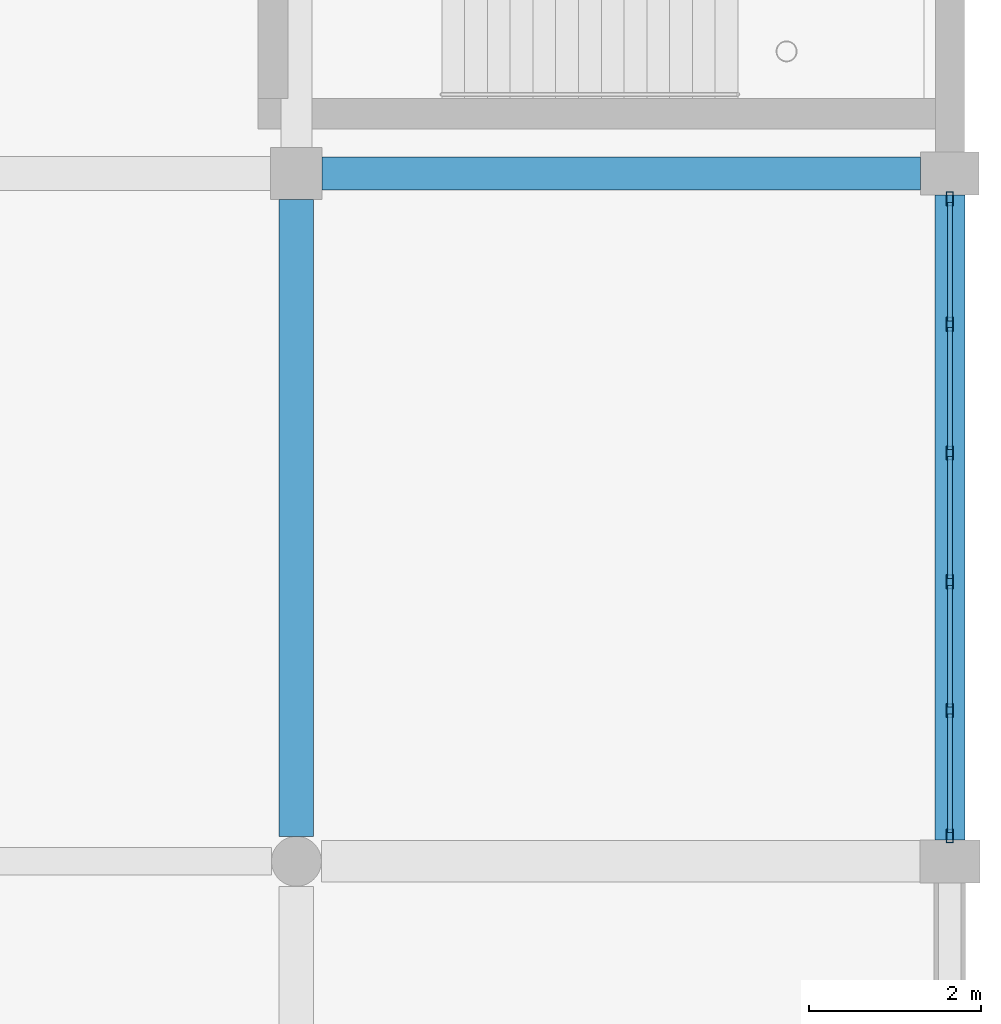
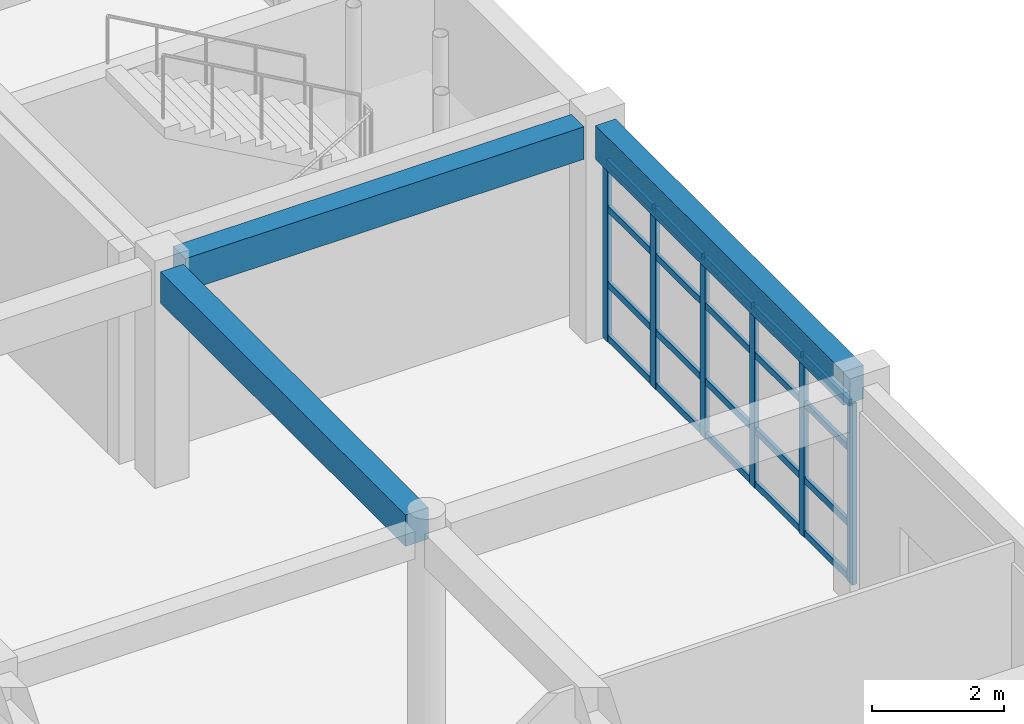
# One storey, part 23 of 53: 26 members, 3 beams, 1 element without a shape of its own.
"""IFC4 building model written with IfcOpenShell, lengths in metres."""

from ifc_helpers import new_model, si_unit, direction, frame, origin, origin_2d, place, context, subcontext, project, spatial, rectangle, hollow_rectangle, extrude, material, material_profile, profile_set, type_object, element, aggregate, save


model = new_model("IFC4")

# Units and contexts
model_context = context("Model", 3, precision=1e-05, world=origin(), true_north=direction((0.0, 1.0)))
body_context = subcontext(model_context, "Body", "Model", "MODEL_VIEW")
ifc_project = project(units=[si_unit("LENGTHUNIT", "METRE"), si_unit("AREAUNIT", "SQUARE_METRE"), si_unit("VOLUMEUNIT", "CUBIC_METRE"), si_unit("PLANEANGLEUNIT", "RADIAN"), si_unit("MASSUNIT", "GRAM", prefix="KILO")], contexts=[model_context])

# Site, building, storey
site_placement = place(None, origin())
site = spatial("IfcSite", under=ifc_project, at=site_placement, CompositionType="ELEMENT")
building_placement = place(site_placement, origin())
building = spatial("IfcBuilding", under=site, at=building_placement, Name="Kharva Crest Polytechnic", CompositionType="ELEMENT")
storey_placement = place(building_placement, frame((0.0, 0.0, 17.39990234375)))
storey = spatial("IfcBuildingStorey", under=building, at=storey_placement, Name="L04", CompositionType="ELEMENT", Elevation=17.39990234375)

# Beams
ifc_material_1 = material(Name="Concrete C35/45", Category="concrete")
ifc_material_profile_1 = material_profile(ifc_material_1, rectangle(XDim=0.3798828125, YDim=0.60009765625, at=origin_2d()), Name="RECT 380 X 600")
ifc_profile_set_1 = profile_set([ifc_material_profile_1], Name="Concrete C35/45")
beam_type_1 = type_object("IfcBeamType", Name="BM-RC-380X600", PredefinedType="BEAM", material=ifc_profile_set_1)
beam_1_placement = place(storey_placement, frame((176.699951171875, 70.800048828125, 3.670166015625), z_axis=(1.0, 0.0, 0.0), x_axis=(0.0, 1.0, 0.0)))
element("IfcBeam", 1, at=beam_1_placement, inside=storey, type_object=beam_type_1, Name="L04 Beam K/23-24", PredefinedType="BEAM", context=body_context, shape_type="SweptSolid", body=[
    extrude(rectangle(XDim=0.3798828125, YDim=0.60009765625, at=origin_2d()), origin(), (0.0, 0.0, 1.0), 6.9599609375),
])
ifc_material_profile_2 = material_profile(ifc_material_1, rectangle(XDim=0.39990234375, YDim=0.580078125, at=origin_2d()), Name="RECT 400 X 580")
ifc_profile_set_2 = profile_set([ifc_material_profile_2], Name="Concrete C35/45")
beam_type_2 = type_object("IfcBeamType", Name="BM-RC-400X580", PredefinedType="BEAM", material=ifc_profile_set_2)
beam_2_placement = place(storey_placement, frame((176.39990234375, 63.090087890625, 3.68017578125), z_axis=(0.0, 1.0, 0.0), x_axis=(-1.0, 0.0, 0.0)))
element("IfcBeam", 2, at=beam_2_placement, inside=storey, type_object=beam_type_2, Name="L04 Girder 23/J-K", PredefinedType="BEAM", context=body_context, shape_type="SweptSolid", body=[
    extrude(rectangle(XDim=0.39990234375, YDim=0.580078125, at=origin_2d()), origin(), (0.0, 0.0, 1.0), 7.409912109375),
])

# Curtain wall, members
ifc_material_2 = material(Name="Tempered insulated glass", Category="glass")
curtain_wall_type = type_object("IfcCurtainWallType", Name="CW-SYS-STUDIO", PredefinedType="USERDEFINED", material=ifc_material_2)
curtain_wall_placement = place(storey_placement, origin())
curtain_wall = element("IfcCurtainWall", 3, at=curtain_wall_placement, inside=storey, type_object=curtain_wall_type, Name="L04 Glazed Curtain Wall CW-187", ObjectType="CURTAIN WALL", PredefinedType="USERDEFINED")
ifc_material_3 = material(Name="Steel S355", Category="steel")
ifc_material_profile_3 = material_profile(ifc_material_3, hollow_rectangle(XDim=0.080078125, YDim=0.159912109375, WallThickness=0.0048828125, at=origin_2d()), Name="RHS 160X80X5.0")
ifc_profile_set_3 = profile_set([ifc_material_profile_3], Name="Steel S355")
member_type_1 = type_object("IfcMemberType", Name="CWM-RHS160X80", PredefinedType="MULLION", material=ifc_profile_set_3)
member_1_placement = place(storey_placement, frame((184.0, 63.094970703125, 0.0), z_axis=(0.0, 0.0, 1.0), x_axis=(-1.0, 0.0, 0.0)))
member_1 = element("IfcMember", 4, at=member_1_placement, type_object=member_type_1, Name="CW-187 mullion 1", PredefinedType="MULLION", context=body_context, shape_type="SweptSolid", body=[
    extrude(hollow_rectangle(XDim=0.080078125, YDim=0.159912109375, WallThickness=0.0048828125, at=origin_2d()), origin(), (0.0, 0.0, 1.0), 3.35009765625),
])
member_2_placement = place(storey_placement, frame((184.0, 64.552978515625, 0.0), z_axis=(0.0, 0.0, 1.0), x_axis=(-1.0, 0.0, 0.0)))
member_2 = element("IfcMember", 5, at=member_2_placement, type_object=member_type_1, Name="CW-187 mullion 2", PredefinedType="MULLION", context=body_context, shape_type="SweptSolid", body=[
    extrude(hollow_rectangle(XDim=0.080078125, YDim=0.159912109375, WallThickness=0.0048828125, at=origin_2d()), origin(), (0.0, 0.0, 1.0), 3.35009765625),
])
member_3_placement = place(storey_placement, frame((184.0, 66.051025390625, 0.0), z_axis=(0.0, 0.0, 1.0), x_axis=(-1.0, 0.0, 0.0)))
member_3 = element("IfcMember", 6, at=member_3_placement, type_object=member_type_1, Name="CW-187 mullion 3", PredefinedType="MULLION", context=body_context, shape_type="SweptSolid", body=[
    extrude(hollow_rectangle(XDim=0.080078125, YDim=0.159912109375, WallThickness=0.0048828125, at=origin_2d()), origin(), (0.0, 0.0, 1.0), 3.35009765625),
])
member_4_placement = place(storey_placement, frame((184.0, 67.549072265625, 0.0), z_axis=(0.0, 0.0, 1.0), x_axis=(-1.0, 0.0, 0.0)))
member_4 = element("IfcMember", 7, at=member_4_placement, type_object=member_type_1, Name="CW-187 mullion 4", PredefinedType="MULLION", context=body_context, shape_type="SweptSolid", body=[
    extrude(hollow_rectangle(XDim=0.080078125, YDim=0.159912109375, WallThickness=0.0048828125, at=origin_2d()), origin(), (0.0, 0.0, 1.0), 3.35009765625),
])
member_5_placement = place(storey_placement, frame((184.0, 69.047119140625, 0.0), z_axis=(0.0, 0.0, 1.0), x_axis=(-1.0, 0.0, 0.0)))
member_5 = element("IfcMember", 8, at=member_5_placement, type_object=member_type_1, Name="CW-187 mullion 5", PredefinedType="MULLION", context=body_context, shape_type="SweptSolid", body=[
    extrude(hollow_rectangle(XDim=0.080078125, YDim=0.159912109375, WallThickness=0.0048828125, at=origin_2d()), origin(), (0.0, 0.0, 1.0), 3.35009765625),
])
member_6_placement = place(storey_placement, frame((184.0, 70.5048828125, 0.0), z_axis=(0.0, 0.0, 1.0), x_axis=(-1.0, 0.0, 0.0)))
member_6 = element("IfcMember", 9, at=member_6_placement, type_object=member_type_1, Name="CW-187 mullion 6", PredefinedType="MULLION", context=body_context, shape_type="SweptSolid", body=[
    extrude(hollow_rectangle(XDim=0.080078125, YDim=0.159912109375, WallThickness=0.0048828125, at=origin_2d()), origin(), (0.0, 0.0, 1.0), 3.35009765625),
])
ifc_material_profile_4 = material_profile(ifc_material_3, hollow_rectangle(XDim=0.06005859375, YDim=0.1201171875, WallThickness=0.00390625, at=origin_2d()), Name="RHS 120X60X4.0")
ifc_profile_set_4 = profile_set([ifc_material_profile_4], Name="Steel S355")
member_type_2 = type_object("IfcMemberType", Name="CWT-RHS120X60", PredefinedType="USERDEFINED", material=ifc_profile_set_4)
member_7_placement = place(storey_placement, frame((184.0, 63.135009765625, 0.06005859375), z_axis=(0.0, 1.0, 0.0), x_axis=(-1.0, 0.0, 0.0)))
member_7 = element("IfcMember", 10, at=member_7_placement, type_object=member_type_2, Name="CW-187 transom 1.1", ObjectType="TRANSOM", PredefinedType="USERDEFINED", context=body_context, shape_type="SweptSolid", body=[
    extrude(hollow_rectangle(XDim=0.06005859375, YDim=0.1201171875, WallThickness=0.00390625, at=origin_2d()), origin(), (0.0, 0.0, 1.0), 1.3779296875),
])
member_8_placement = place(storey_placement, frame((184.0, 63.135009765625, 1.050048828125), z_axis=(0.0, 1.0, 0.0), x_axis=(-1.0, 0.0, 0.0)))
member_8 = element("IfcMember", 11, at=member_8_placement, type_object=member_type_2, Name="CW-187 transom 1.2", ObjectType="TRANSOM", PredefinedType="USERDEFINED", context=body_context, shape_type="SweptSolid", body=[
    extrude(hollow_rectangle(XDim=0.06005859375, YDim=0.1201171875, WallThickness=0.00390625, at=origin_2d()), origin(), (0.0, 0.0, 1.0), 1.3779296875),
])
member_9_placement = place(storey_placement, frame((184.0, 63.135009765625, 2.4501953125), z_axis=(0.0, 1.0, 0.0), x_axis=(-1.0, 0.0, 0.0)))
member_9 = element("IfcMember", 12, at=member_9_placement, type_object=member_type_2, Name="CW-187 transom 1.3", ObjectType="TRANSOM", PredefinedType="USERDEFINED", context=body_context, shape_type="SweptSolid", body=[
    extrude(hollow_rectangle(XDim=0.06005859375, YDim=0.1201171875, WallThickness=0.00390625, at=origin_2d()), origin(), (0.0, 0.0, 1.0), 1.3779296875),
])
member_10_placement = place(storey_placement, frame((184.0, 63.135009765625, 3.2900390625), z_axis=(0.0, 1.0, 0.0), x_axis=(-1.0, 0.0, 0.0)))
member_10 = element("IfcMember", 13, at=member_10_placement, type_object=member_type_2, Name="CW-187 transom 1.4", ObjectType="TRANSOM", PredefinedType="USERDEFINED", context=body_context, shape_type="SweptSolid", body=[
    extrude(hollow_rectangle(XDim=0.06005859375, YDim=0.1201171875, WallThickness=0.00390625, at=origin_2d()), origin(), (0.0, 0.0, 1.0), 1.3779296875),
])
member_11_placement = place(storey_placement, frame((184.0, 64.593017578125, 0.06005859375), z_axis=(0.0, 1.0, 0.0), x_axis=(-1.0, 0.0, 0.0)))
member_11 = element("IfcMember", 14, at=member_11_placement, type_object=member_type_2, Name="CW-187 transom 2.1", ObjectType="TRANSOM", PredefinedType="USERDEFINED", context=body_context, shape_type="SweptSolid", body=[
    extrude(hollow_rectangle(XDim=0.06005859375, YDim=0.1201171875, WallThickness=0.00390625, at=origin_2d()), origin(), (0.0, 0.0, 1.0), 1.41796875),
])
member_12_placement = place(storey_placement, frame((184.0, 64.593017578125, 1.050048828125), z_axis=(0.0, 1.0, 0.0), x_axis=(-1.0, 0.0, 0.0)))
member_12 = element("IfcMember", 15, at=member_12_placement, type_object=member_type_2, Name="CW-187 transom 2.2", ObjectType="TRANSOM", PredefinedType="USERDEFINED", context=body_context, shape_type="SweptSolid", body=[
    extrude(hollow_rectangle(XDim=0.06005859375, YDim=0.1201171875, WallThickness=0.00390625, at=origin_2d()), origin(), (0.0, 0.0, 1.0), 1.41796875),
])
member_13_placement = place(storey_placement, frame((184.0, 64.593017578125, 2.4501953125), z_axis=(0.0, 1.0, 0.0), x_axis=(-1.0, 0.0, 0.0)))
member_13 = element("IfcMember", 16, at=member_13_placement, type_object=member_type_2, Name="CW-187 transom 2.3", ObjectType="TRANSOM", PredefinedType="USERDEFINED", context=body_context, shape_type="SweptSolid", body=[
    extrude(hollow_rectangle(XDim=0.06005859375, YDim=0.1201171875, WallThickness=0.00390625, at=origin_2d()), origin(), (0.0, 0.0, 1.0), 1.41796875),
])
member_14_placement = place(storey_placement, frame((184.0, 64.593017578125, 3.2900390625), z_axis=(0.0, 1.0, 0.0), x_axis=(-1.0, 0.0, 0.0)))
member_14 = element("IfcMember", 17, at=member_14_placement, type_object=member_type_2, Name="CW-187 transom 2.4", ObjectType="TRANSOM", PredefinedType="USERDEFINED", context=body_context, shape_type="SweptSolid", body=[
    extrude(hollow_rectangle(XDim=0.06005859375, YDim=0.1201171875, WallThickness=0.00390625, at=origin_2d()), origin(), (0.0, 0.0, 1.0), 1.41796875),
])
member_15_placement = place(storey_placement, frame((184.0, 66.091064453125, 0.06005859375), z_axis=(0.0, 1.0, 0.0), x_axis=(-1.0, 0.0, 0.0)))
member_15 = element("IfcMember", 18, at=member_15_placement, type_object=member_type_2, Name="CW-187 transom 3.1", ObjectType="TRANSOM", PredefinedType="USERDEFINED", context=body_context, shape_type="SweptSolid", body=[
    extrude(hollow_rectangle(XDim=0.06005859375, YDim=0.1201171875, WallThickness=0.00390625, at=origin_2d()), origin(), (0.0, 0.0, 1.0), 1.41796875),
])
member_16_placement = place(storey_placement, frame((184.0, 66.091064453125, 1.050048828125), z_axis=(0.0, 1.0, 0.0), x_axis=(-1.0, 0.0, 0.0)))
member_16 = element("IfcMember", 19, at=member_16_placement, type_object=member_type_2, Name="CW-187 transom 3.2", ObjectType="TRANSOM", PredefinedType="USERDEFINED", context=body_context, shape_type="SweptSolid", body=[
    extrude(hollow_rectangle(XDim=0.06005859375, YDim=0.1201171875, WallThickness=0.00390625, at=origin_2d()), origin(), (0.0, 0.0, 1.0), 1.41796875),
])
member_17_placement = place(storey_placement, frame((184.0, 66.091064453125, 2.4501953125), z_axis=(0.0, 1.0, 0.0), x_axis=(-1.0, 0.0, 0.0)))
member_17 = element("IfcMember", 20, at=member_17_placement, type_object=member_type_2, Name="CW-187 transom 3.3", ObjectType="TRANSOM", PredefinedType="USERDEFINED", context=body_context, shape_type="SweptSolid", body=[
    extrude(hollow_rectangle(XDim=0.06005859375, YDim=0.1201171875, WallThickness=0.00390625, at=origin_2d()), origin(), (0.0, 0.0, 1.0), 1.41796875),
])
member_18_placement = place(storey_placement, frame((184.0, 66.091064453125, 3.2900390625), z_axis=(0.0, 1.0, 0.0), x_axis=(-1.0, 0.0, 0.0)))
member_18 = element("IfcMember", 21, at=member_18_placement, type_object=member_type_2, Name="CW-187 transom 3.4", ObjectType="TRANSOM", PredefinedType="USERDEFINED", context=body_context, shape_type="SweptSolid", body=[
    extrude(hollow_rectangle(XDim=0.06005859375, YDim=0.1201171875, WallThickness=0.00390625, at=origin_2d()), origin(), (0.0, 0.0, 1.0), 1.41796875),
])
member_19_placement = place(storey_placement, frame((184.0, 67.589111328125, 0.06005859375), z_axis=(0.0, 1.0, 0.0), x_axis=(-1.0, 0.0, 0.0)))
member_19 = element("IfcMember", 22, at=member_19_placement, type_object=member_type_2, Name="CW-187 transom 4.1", ObjectType="TRANSOM", PredefinedType="USERDEFINED", context=body_context, shape_type="SweptSolid", body=[
    extrude(hollow_rectangle(XDim=0.06005859375, YDim=0.1201171875, WallThickness=0.00390625, at=origin_2d()), origin(), (0.0, 0.0, 1.0), 1.41796875),
])
member_20_placement = place(storey_placement, frame((184.0, 67.589111328125, 1.050048828125), z_axis=(0.0, 1.0, 0.0), x_axis=(-1.0, 0.0, 0.0)))
member_20 = element("IfcMember", 23, at=member_20_placement, type_object=member_type_2, Name="CW-187 transom 4.2", ObjectType="TRANSOM", PredefinedType="USERDEFINED", context=body_context, shape_type="SweptSolid", body=[
    extrude(hollow_rectangle(XDim=0.06005859375, YDim=0.1201171875, WallThickness=0.00390625, at=origin_2d()), origin(), (0.0, 0.0, 1.0), 1.41796875),
])
member_21_placement = place(storey_placement, frame((184.0, 67.589111328125, 2.4501953125), z_axis=(0.0, 1.0, 0.0), x_axis=(-1.0, 0.0, 0.0)))
member_21 = element("IfcMember", 24, at=member_21_placement, type_object=member_type_2, Name="CW-187 transom 4.3", ObjectType="TRANSOM", PredefinedType="USERDEFINED", context=body_context, shape_type="SweptSolid", body=[
    extrude(hollow_rectangle(XDim=0.06005859375, YDim=0.1201171875, WallThickness=0.00390625, at=origin_2d()), origin(), (0.0, 0.0, 1.0), 1.41796875),
])
member_22_placement = place(storey_placement, frame((184.0, 67.589111328125, 3.2900390625), z_axis=(0.0, 1.0, 0.0), x_axis=(-1.0, 0.0, 0.0)))
member_22 = element("IfcMember", 25, at=member_22_placement, type_object=member_type_2, Name="CW-187 transom 4.4", ObjectType="TRANSOM", PredefinedType="USERDEFINED", context=body_context, shape_type="SweptSolid", body=[
    extrude(hollow_rectangle(XDim=0.06005859375, YDim=0.1201171875, WallThickness=0.00390625, at=origin_2d()), origin(), (0.0, 0.0, 1.0), 1.41796875),
])
member_23_placement = place(storey_placement, frame((184.0, 69.0869140625, 0.06005859375), z_axis=(0.0, 1.0, 0.0), x_axis=(-1.0, 0.0, 0.0)))
member_23 = element("IfcMember", 26, at=member_23_placement, type_object=member_type_2, Name="CW-187 transom 5.1", ObjectType="TRANSOM", PredefinedType="USERDEFINED", context=body_context, shape_type="SweptSolid", body=[
    extrude(hollow_rectangle(XDim=0.06005859375, YDim=0.1201171875, WallThickness=0.00390625, at=origin_2d()), origin(), (0.0, 0.0, 1.0), 1.378173828125),
])
member_24_placement = place(storey_placement, frame((184.0, 69.0869140625, 1.050048828125), z_axis=(0.0, 1.0, 0.0), x_axis=(-1.0, 0.0, 0.0)))
member_24 = element("IfcMember", 27, at=member_24_placement, type_object=member_type_2, Name="CW-187 transom 5.2", ObjectType="TRANSOM", PredefinedType="USERDEFINED", context=body_context, shape_type="SweptSolid", body=[
    extrude(hollow_rectangle(XDim=0.06005859375, YDim=0.1201171875, WallThickness=0.00390625, at=origin_2d()), origin(), (0.0, 0.0, 1.0), 1.378173828125),
])
member_25_placement = place(storey_placement, frame((184.0, 69.0869140625, 2.4501953125), z_axis=(0.0, 1.0, 0.0), x_axis=(-1.0, 0.0, 0.0)))
member_25 = element("IfcMember", 28, at=member_25_placement, type_object=member_type_2, Name="CW-187 transom 5.3", ObjectType="TRANSOM", PredefinedType="USERDEFINED", context=body_context, shape_type="SweptSolid", body=[
    extrude(hollow_rectangle(XDim=0.06005859375, YDim=0.1201171875, WallThickness=0.00390625, at=origin_2d()), origin(), (0.0, 0.0, 1.0), 1.378173828125),
])
member_26_placement = place(storey_placement, frame((184.0, 69.0869140625, 3.2900390625), z_axis=(0.0, 1.0, 0.0), x_axis=(-1.0, 0.0, 0.0)))
member_26 = element("IfcMember", 29, at=member_26_placement, type_object=member_type_2, Name="CW-187 transom 5.4", ObjectType="TRANSOM", PredefinedType="USERDEFINED", context=body_context, shape_type="SweptSolid", body=[
    extrude(hollow_rectangle(XDim=0.06005859375, YDim=0.1201171875, WallThickness=0.00390625, at=origin_2d()), origin(), (0.0, 0.0, 1.0), 1.378173828125),
])
aggregate(curtain_wall, [member_1, member_2, member_3, member_4, member_5, member_6, member_7, member_8, member_9, member_10, member_11, member_12, member_13, member_14, member_15, member_16, member_17, member_18, member_19, member_20, member_21, member_22, member_23, member_24, member_25, member_26])

# Beam
ifc_material_profile_5 = material_profile(ifc_material_1, rectangle(XDim=0.35009765625, YDim=0.6201171875, at=origin_2d()), Name="RECT 350 X 620")
ifc_profile_set_5 = profile_set([ifc_material_profile_5], Name="Concrete C35/45")
beam_type_3 = type_object("IfcBeamType", Name="SP-RC-350X620", PredefinedType="SPANDREL", material=ifc_profile_set_5)
beam_3_placement = place(storey_placement, frame((184.0, 63.050048828125, 3.66015625), z_axis=(0.0, 1.0, 0.0), x_axis=(-1.0, 0.0, 0.0)))
element("IfcBeam", 30, at=beam_3_placement, inside=storey, type_object=beam_type_3, Name="L04 Girder 24/J-K", PredefinedType="SPANDREL", context=body_context, shape_type="SweptSolid", body=[
    extrude(rectangle(XDim=0.35009765625, YDim=0.6201171875, at=origin_2d()), origin(), (0.0, 0.0, 1.0), 7.5),
])

save(model, "model.ifc")
